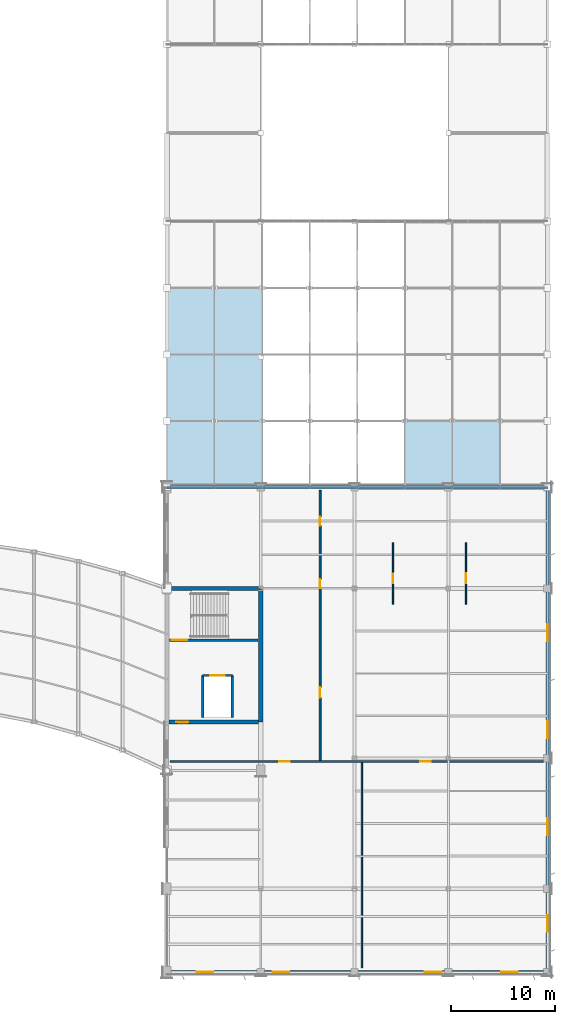
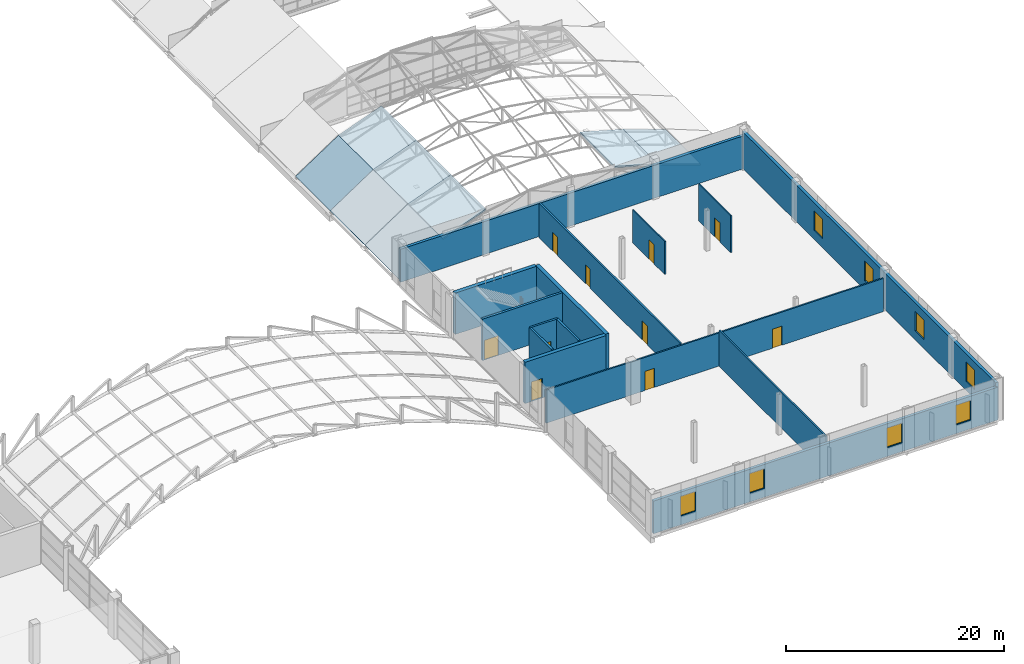
# One storey, part 86 of 101: 15 walls, 10 doors, 8 roofs, 8 windows, 18 openings.
"""IFC4 building model written with IfcOpenShell, lengths in metres."""

import ifcopenshell
import ifcopenshell.guid

model = None  # the IFC model being written
_history = None  # IfcOwnerHistory: only IFC2X3 demands one
_inside = {}  # id of a spatial element -> (the spatial element, [elements in it])
_under = {}  # id of a project, library or spatial element -> (it, [spatial elements below it])
_declared = {}  # id of a project -> (the project, [libraries it declares])
_typed = {}  # id of a type object -> (the type object, [elements of that type])
_made_of = {}  # id of a material, layer set ... -> (it, [elements and type objects made of it])


def new_model(schema):
    """Start an empty IFC model of exactly this schema.

    Asked for "IFC4X3", IfcOpenShell would pick the latest addendum, in which some entities
    have other attributes; the version numbers below select the first issue.
    IFC2X3 requires an IfcOwnerHistory on every rooted entity: one is made here for all.
    """
    global model, _history
    if schema == "IFC4X3":
        model = ifcopenshell.file(schema_version=(4, 3, 0, 0))
    else:
        model = ifcopenshell.file(schema=schema)
    _inside.clear()
    _under.clear()
    _declared.clear()
    _typed.clear()
    _made_of.clear()
    _history = None
    if model.schema == "IFC2X3":
        org = make("IfcOrganization", Name="unknown")
        user = make(
            "IfcPersonAndOrganization",
            ThePerson=make("IfcPerson", FamilyName="unknown"),
            TheOrganization=org,
        )
        app = make(
            "IfcApplication",
            ApplicationDeveloper=org,
            Version="unknown",
            ApplicationFullName="unknown",
            ApplicationIdentifier="unknown",
        )
        _history = make(
            "IfcOwnerHistory",
            OwningUser=user,
            OwningApplication=app,
            ChangeAction="ADDED",
            CreationDate=0,
        )
    return model


def make(cls, **values):
    """One entity of the class cls with the attributes given. An attribute that is None is left unset."""
    return model.create_entity(
        cls, **{name: value for name, value in values.items() if value is not None}
    )


def rooted(cls, **values):
    """An entity with a GlobalId (a new one), such as an element, a storey or a relation."""
    return make(cls, GlobalId=ifcopenshell.guid.new(), OwnerHistory=_history, **values)


def si_unit(unit_type, name, prefix=None):
    """IfcSIUnit, for example si_unit("LENGTHUNIT", "METRE", prefix="MILLI")."""
    return make("IfcSIUnit", UnitType=unit_type, Prefix=prefix, Name=name)


def assignment(units):
    """IfcUnitAssignment: the units of a project."""
    return None if units is None else make("IfcUnitAssignment", Units=units)


def point(xyz):
    """IfcCartesianPoint."""
    return None if xyz is None else make("IfcCartesianPoint", Coordinates=xyz)


def direction(xyz):
    """IfcDirection."""
    return None if xyz is None else make("IfcDirection", DirectionRatios=xyz)


def frame(location, z_axis=None, x_axis=None):
    """IfcAxis2Placement3D, a coordinate frame: its origin and axes. An axis left out is left unset."""
    return make(
        "IfcAxis2Placement3D",
        Location=point(location),
        Axis=direction(z_axis),
        RefDirection=direction(x_axis),
    )


def frame_2d(location, x_axis=None):
    """IfcAxis2Placement2D, a coordinate frame in the plane: its origin and x axis."""
    return make(
        "IfcAxis2Placement2D", Location=point(location), RefDirection=direction(x_axis)
    )


def origin():
    """The frame at (0, 0, 0) with its axes left unset."""
    return frame((0.0, 0.0, 0.0))


def place(relative_to, where):
    """IfcLocalPlacement: puts the frame where relative to a parent placement (None: the world)."""
    return make(
        "IfcLocalPlacement", PlacementRelTo=relative_to, RelativePlacement=where
    )


def context(
    kind, dimensions, precision=None, world=None, true_north=None, identifier=None
):
    """IfcGeometricRepresentationContext, for example the 3D "Model" context."""
    return make(
        "IfcGeometricRepresentationContext",
        ContextIdentifier=identifier,
        ContextType=kind,
        CoordinateSpaceDimension=dimensions,
        Precision=precision,
        WorldCoordinateSystem=world,
        TrueNorth=true_north,
    )


def subcontext(parent, identifier, kind, view, scale=None):
    """IfcGeometricRepresentationSubContext, for example "Body" below "Model"."""
    return make(
        "IfcGeometricRepresentationSubContext",
        ContextIdentifier=identifier,
        ContextType=kind,
        ParentContext=parent,
        TargetScale=scale,
        TargetView=view,
    )


def project(units=None, contexts=None):
    """IfcProject with its units and contexts."""
    return rooted(
        "IfcProject",
        Name="project",
        RepresentationContexts=contexts,
        UnitsInContext=assignment(units),
    )


def spatial(cls, under=None, at=None, **own):
    """A site, building, storey or space (cls), placed at a placement, below another one or the project."""
    s = rooted(cls, ObjectPlacement=at, **own)
    if under is not None:
        _under.setdefault(under.id(), (under, []))[1].append(s)
    return s


def polyline(points):
    """IfcPolyline through the points."""
    return make("IfcPolyline", Points=[point(p) for p in points])


def profile(cls, at=None, kind="AREA", **sizes):
    """A parametric profile (cls). Its sizes go by their IFC names, for example OverallWidth=200.0."""
    return make(cls, ProfileType=kind, Position=at, **sizes)


def rectangle(**sizes):
    """IfcRectangleProfileDef."""
    return profile("IfcRectangleProfileDef", **sizes)


def outline(outer, holes=None, kind="AREA"):
    """IfcArbitraryClosedProfileDef: a profile drawn as a closed curve; with holes, ...WithVoids."""
    if holes is None:
        return make("IfcArbitraryClosedProfileDef", ProfileType=kind, OuterCurve=outer)
    return make(
        "IfcArbitraryProfileDefWithVoids",
        ProfileType=kind,
        OuterCurve=outer,
        InnerCurves=holes,
    )


def extrude(swept, where, along, depth):
    """IfcExtrudedAreaSolid: the profile swept, set in the frame where, extruded along a direction by depth."""
    return make(
        "IfcExtrudedAreaSolid",
        SweptArea=swept,
        Position=where,
        ExtrudedDirection=direction(along),
        Depth=depth,
    )


def shape(context_of_items, identifier, shape_type, items):
    """IfcShapeRepresentation: the items that make up one representation, for example the "Body"."""
    return make(
        "IfcShapeRepresentation",
        ContextOfItems=context_of_items,
        RepresentationIdentifier=identifier,
        RepresentationType=shape_type,
        Items=items,
    )


def material(Name=None, Category=None):
    """IfcMaterial."""
    return make("IfcMaterial", Name=Name, Category=Category)


def layer(
    of_material, thickness, ventilated=None, Name=None, Category=None, Priority=None
):
    """IfcMaterialLayer: one layer of a wall or slab, of a material (None: an air gap)."""
    return make(
        "IfcMaterialLayer",
        Material=of_material,
        LayerThickness=thickness,
        IsVentilated=ventilated,
        Name=Name,
        Category=Category,
        Priority=Priority,
    )


def layer_set(layers, Name=None):
    """IfcMaterialLayerSet."""
    return make("IfcMaterialLayerSet", MaterialLayers=layers, LayerSetName=Name)


def made_of(thing, what):
    """Note that an element or type object is made of a material, layer set ...; save() writes the relation."""
    if what is not None:
        _made_of.setdefault(what.id(), (what, []))[1].append(thing)
    return thing


def type_object(cls, material=None, **own):
    """A type object (cls), such as IfcWallType, which elements share."""
    return made_of(rooted(cls, **own), material)


def element(
    cls,
    number,
    at=None,
    inside=None,
    cuts=None,
    type_object=None,
    material=None,
    context=None,
    identifier="Body",
    shape_type=None,
    held_by="IfcProductDefinitionShape",
    body=None,
    shapes=None,
    **own,
):
    """One element of the class cls, such as IfcWall. Its Tag is "e" and its number.

    at: its placement. inside: the storey or other place that contains it. cuts: it is an
    opening in that element (IfcRelVoidsElement). A single representation is given by context,
    identifier, shape_type and body (its items); several are given by shapes. held_by: the class
    of the entity that holds the representations. save() writes the other relations.
    """
    e = rooted(cls, Tag="e%d" % number, ObjectPlacement=at, **own)
    if body is not None:
        shapes = [shape(context, identifier, shape_type, body)]
    if shapes is not None:
        e.Representation = make(held_by, Representations=shapes)
    if inside is not None:
        _inside.setdefault(inside.id(), (inside, []))[1].append(e)
    if cuts is not None:
        rooted(
            "IfcRelVoidsElement", RelatingBuildingElement=cuts, RelatedOpeningElement=e
        )
    if type_object is not None:
        _typed.setdefault(type_object.id(), (type_object, []))[1].append(e)
    return made_of(e, material)


def fill(opening, filler):
    """IfcRelFillsElement: the door or window that sits in an opening."""
    return rooted(
        "IfcRelFillsElement",
        RelatingOpeningElement=opening,
        RelatedBuildingElement=filler,
    )


def aggregate(whole, parts):
    """IfcRelAggregates: a whole, such as a stair, and the parts it consists of."""
    return rooted("IfcRelAggregates", RelatingObject=whole, RelatedObjects=parts)


def save(model, path):
    """Write the relations noted so far, then the file.

    IfcRelAggregates (storeys below a building ...), IfcRelContainedInSpatialStructure (elements
    in a storey), IfcRelDefinesByType, IfcRelAssociatesMaterial and IfcRelDeclares: one each for
    every whole, place, type object, material and project.
    """
    for whole, parts in _under.values():
        aggregate(whole, parts)
    for where, things in _inside.values():
        rooted(
            "IfcRelContainedInSpatialStructure",
            RelatedElements=things,
            RelatingStructure=where,
        )
    for kind, things in _typed.values():
        rooted("IfcRelDefinesByType", RelatedObjects=things, RelatingType=kind)
    for what, things in _made_of.values():
        rooted("IfcRelAssociatesMaterial", RelatedObjects=things, RelatingMaterial=what)
    for by, libraries in _declared.values():
        rooted("IfcRelDeclares", RelatingContext=by, RelatedDefinitions=libraries)
    model.write(path)


model = new_model("IFC4")

# Units and contexts
model_context = context("Model", 3, precision=1e-05, world=origin(), true_north=direction((0.0, 1.0)))
body_context = subcontext(model_context, "Body", "Model", "MODEL_VIEW")
ifc_project = project(units=[si_unit("LENGTHUNIT", "METRE"), si_unit("AREAUNIT", "SQUARE_METRE"), si_unit("VOLUMEUNIT", "CUBIC_METRE"), si_unit("PLANEANGLEUNIT", "RADIAN"), si_unit("MASSUNIT", "GRAM", prefix="KILO")], contexts=[model_context])

# Site, building, storey
site_placement = place(None, origin())
site = spatial("IfcSite", under=ifc_project, at=site_placement, CompositionType="ELEMENT")
building_placement = place(site_placement, origin())
building = spatial("IfcBuilding", under=site, at=building_placement, Name="Solvikara Media Centre", CompositionType="ELEMENT")
storey_placement = place(building_placement, frame((0.0, 0.0, 10.199951171875)))
storey = spatial("IfcBuildingStorey", under=building, at=storey_placement, Name="L02", CompositionType="ELEMENT", Elevation=10.199951171875)

# Walls
ifc_material_1 = material(Name="Concrete fc' 45 MPa (C45/55)", Category="concrete")
ifc_layer_1 = layer(ifc_material_1, 0.39990234375)
ifc_layer_set_1 = layer_set([ifc_layer_1], Name="Concrete fc' 45 MPa (C45/55)")
wall_type_1 = type_object("IfcWallType", Name="WT-02", PredefinedType="SHEAR", material=ifc_layer_set_1)
wall_1_placement = place(storey_placement, frame((136.5, 24.0, 0.0), z_axis=(0.0, 0.0, 1.0), x_axis=(0.0, 1.0, 0.0)))
element("IfcWall", 1, at=wall_1_placement, inside=storey, type_object=wall_type_1, Name="CW-C4-L02-E", PredefinedType="SHEAR", context=body_context, shape_type="SweptSolid", body=[
    extrude(rectangle(XDim=12.800048828125, YDim=0.39990234375, at=frame_2d((6.39990234375, 0.0))), origin(), (0.0, 0.0, 1.0), 4.64013671875),
])
wall_2_placement = place(storey_placement, frame((127.699951171875, 36.800048828125, 0.0), z_axis=(0.0, 0.0, 1.0), x_axis=(1.0, 0.0, 0.0)))
element("IfcWall", 2, at=wall_2_placement, inside=storey, type_object=wall_type_1, Name="CW-C4-L02-N", PredefinedType="SHEAR", context=body_context, shape_type="SweptSolid", body=[
    extrude(rectangle(XDim=8.60009765625, YDim=0.39990234375, at=frame_2d((4.300048828125, 0.0))), origin(), (0.0, 0.0, 1.0), 4.64013671875),
])

# Wall, opening, door
wall_3_placement = place(storey_placement, frame((127.699951171875, 24.0, 0.0), z_axis=(0.0, 0.0, 1.0), x_axis=(1.0, 0.0, 0.0)))
wall_3 = element("IfcWall", 3, at=wall_3_placement, inside=storey, type_object=wall_type_1, Name="CW-C4-L02-S", PredefinedType="SHEAR", context=body_context, shape_type="SweptSolid", body=[
    extrude(rectangle(XDim=8.60009765625, YDim=0.39990234375, at=frame_2d((4.300048828125, 0.0))), origin(), (0.0, 0.0, 1.0), 4.64013671875),
])
opening_1_placement = place(wall_3_placement, frame((0.699951171875, 0.0, 0.0)))
opening_1 = element("IfcOpeningElement", 4, at=opening_1_placement, cuts=wall_3, Name="Opening D-C4-L02-LOB", PredefinedType="OPENING", context=body_context, shape_type="SweptSolid", body=[
    extrude(rectangle(XDim=1.14990234375, YDim=2.199951171875, at=frame_2d((0.574951171875, 1.10009765625))), frame((0.0, 0.2119140625, 0.0), z_axis=(0.0, -1.0, 0.0), x_axis=(1.0, 0.0, 0.0)), (0.0, 0.0, 1.0), 0.423828125),
])
ifc_material_2 = material(Name="Insulated fire-rated steel door leaf", Category="steel")
door_type_1 = type_object("IfcDoorType", Name="DT-09", OperationType="NOTDEFINED", PredefinedType="DOOR", material=ifc_material_2)
door_1_placement = place(opening_1_placement, frame((1.14990234375, 0.0, 0.0), z_axis=(0.0, 0.0, 1.0), x_axis=(-1.0, 0.0, 0.0)))
door_1 = element("IfcDoor", 5, at=door_1_placement, inside=storey, type_object=door_type_1, Name="D-C4-L02-LOB", OperationType="SINGLE_SWING_RIGHT", OverallHeight=2.199951171875, OverallWidth=1.14990234375, PredefinedType="DOOR", context=body_context, shape_type="SweptSolid", body=[
    extrude(rectangle(XDim=1.14990234375, YDim=2.199951171875, at=frame_2d((0.574951171875, 1.10009765625))), frame((0.0, 0.02490234375, 0.0), z_axis=(0.0, -1.0, 0.0), x_axis=(1.0, 0.0, 0.0)), (0.0, 0.0, 1.0), 0.050048828125),
])
fill(opening_1, door_1)

ifc_layer_2 = layer(ifc_material_1, 0.25)
ifc_layer_set_2 = layer_set([ifc_layer_2], Name="Concrete fc' 45 MPa (C45/55)")
wall_type_2 = type_object("IfcWallType", Name="WT-07", PredefinedType="STANDARD", material=ifc_layer_set_2)
wall_4_placement = place(storey_placement, frame((127.75, 31.85009765625, 0.0), z_axis=(0.0, 0.0, 1.0), x_axis=(1.0, 0.0, 0.0)))
wall_4 = element("IfcWall", 6, at=wall_4_placement, inside=storey, type_object=wall_type_2, Name="CW-C4-L02-SD", PredefinedType="STANDARD", context=body_context, shape_type="SweptSolid", body=[
    extrude(rectangle(XDim=8.5, YDim=0.25, at=frame_2d((4.25, 0.0))), origin(), (0.0, 0.0, 1.0), 4.64013671875),
])
opening_2_placement = place(wall_4_placement, frame((0.199951171875, 0.0, 0.0)))
opening_2 = element("IfcOpeningElement", 7, at=opening_2_placement, cuts=wall_4, Name="Opening D-C4-L02-ST", PredefinedType="OPENING", context=body_context, shape_type="SweptSolid", body=[
    extrude(rectangle(XDim=1.5, YDim=2.199951171875, at=frame_2d((0.75, 1.10009765625))), frame((0.0, 0.136962890625, 0.0), z_axis=(0.0, -1.0, 0.0), x_axis=(1.0, 0.0, 0.0)), (0.0, 0.0, 1.0), 0.27392578125),
])
door_type_2 = type_object("IfcDoorType", Name="DT-08", OperationType="DOUBLE_DOOR_SINGLE_SWING", PredefinedType="DOOR", material=ifc_material_2)
door_2_placement = place(opening_2_placement, frame((1.5, 0.0, 0.0), z_axis=(0.0, 0.0, 1.0), x_axis=(-1.0, 0.0, 0.0)))
door_2 = element("IfcDoor", 8, at=door_2_placement, inside=storey, type_object=door_type_2, Name="D-C4-L02-ST", OperationType="DOUBLE_DOOR_SINGLE_SWING", OverallHeight=2.199951171875, OverallWidth=1.5, PredefinedType="DOOR", context=body_context, shape_type="SweptSolid", body=[
    extrude(rectangle(XDim=1.5, YDim=2.199951171875, at=frame_2d((0.75, 1.10009765625))), frame((0.0, 0.02490234375, 0.0), z_axis=(0.0, -1.0, 0.0), x_axis=(1.0, 0.0, 0.0)), (0.0, 0.0, 1.0), 0.050048828125),
])
fill(opening_2, door_2)

# Wall, openings, windows
ifc_material_3 = material(Name="Precast concrete fc' 40 MPa (C40/50)", Category="concrete")
ifc_layer_3 = layer(ifc_material_3, 0.31005859375)
ifc_layer_set_3 = layer_set([ifc_layer_3], Name="Precast concrete fc' 40 MPa (C40/50)")
wall_type_3 = type_object("IfcWallType", Name="WT-10", PredefinedType="STANDARD", material=ifc_layer_set_3)
wall_5_placement = place(storey_placement, frame((127.5, 0.0, 0.0), z_axis=(0.0, 0.0, 1.0), x_axis=(1.0, 0.0, 0.0)))
wall_5 = element("IfcWall", 9, at=wall_5_placement, inside=storey, type_object=wall_type_3, Name="EW-L02-V5-S", PredefinedType="STANDARD", context=body_context, shape_type="SweptSolid", body=[
    extrude(rectangle(XDim=36.5, YDim=0.31005859375, at=frame_2d((18.25, 0.0))), origin(), (0.0, 0.0, 1.0), 3.670166015625),
])
opening_3_placement = place(wall_5_placement, frame((2.85009765625, 0.0, 1.0)))
opening_3 = element("IfcOpeningElement", 10, at=opening_3_placement, cuts=wall_5, Name="Opening W-L02-V5S-W01", PredefinedType="OPENING", context=body_context, shape_type="SweptSolid", body=[
    extrude(rectangle(XDim=1.60009765625, YDim=2.199951171875, at=frame_2d((0.800048828125, 1.10009765625))), frame((0.0, 0.1669921875, 0.0), z_axis=(0.0, -1.0, 0.0), x_axis=(1.0, 0.0, 0.0)), (0.0, 0.0, 1.0), 0.333984375),
])
opening_4_placement = place(wall_5_placement, frame((10.14990234375, 0.0, 1.0)))
opening_4 = element("IfcOpeningElement", 11, at=opening_4_placement, cuts=wall_5, Name="Opening W-L02-V5S-W02", PredefinedType="OPENING", context=body_context, shape_type="SweptSolid", body=[
    extrude(rectangle(XDim=1.60009765625, YDim=2.199951171875, at=frame_2d((0.800048828125, 1.10009765625))), frame((0.0, 0.1669921875, 0.0), z_axis=(0.0, -1.0, 0.0), x_axis=(1.0, 0.0, 0.0)), (0.0, 0.0, 1.0), 0.333984375),
])
opening_5_placement = place(wall_5_placement, frame((24.75, 0.0, 1.0)))
opening_5 = element("IfcOpeningElement", 12, at=opening_5_placement, cuts=wall_5, Name="Opening W-L02-V5S-W04", PredefinedType="OPENING", context=body_context, shape_type="SweptSolid", body=[
    extrude(rectangle(XDim=1.60009765625, YDim=2.199951171875, at=frame_2d((0.800048828125, 1.10009765625))), frame((0.0, 0.1669921875, 0.0), z_axis=(0.0, -1.0, 0.0), x_axis=(1.0, 0.0, 0.0)), (0.0, 0.0, 1.0), 0.333984375),
])
opening_6_placement = place(wall_5_placement, frame((32.050048828125, 0.0, 1.0)))
opening_6 = element("IfcOpeningElement", 13, at=opening_6_placement, cuts=wall_5, Name="Opening W-L02-V5S-W05", PredefinedType="OPENING", context=body_context, shape_type="SweptSolid", body=[
    extrude(rectangle(XDim=1.60009765625, YDim=2.199951171875, at=frame_2d((0.800048828125, 1.10009765625))), frame((0.0, 0.1669921875, 0.0), z_axis=(0.0, -1.0, 0.0), x_axis=(1.0, 0.0, 0.0)), (0.0, 0.0, 1.0), 0.333984375),
])
ifc_material_4 = material(Name="Double-glazed low-E architectural glass", Category="glass")
window_type = type_object("IfcWindowType", Name="WN-07", PartitioningType="SINGLE_PANEL", PredefinedType="WINDOW", material=ifc_material_4)
window_1_placement = place(opening_3_placement, origin())
window_1 = element("IfcWindow", 14, at=window_1_placement, inside=storey, type_object=window_type, Name="W-L02-V5S-W01", OverallHeight=2.199951171875, OverallWidth=1.60009765625, PartitioningType="SINGLE_PANEL", PredefinedType="WINDOW", context=body_context, shape_type="SweptSolid", body=[
    extrude(rectangle(XDim=1.60009765625, YDim=2.199951171875, at=frame_2d((0.800048828125, 1.10009765625))), frame((0.0, 0.030029296875, 0.0), z_axis=(0.0, -1.0, 0.0), x_axis=(1.0, 0.0, 0.0)), (0.0, 0.0, 1.0), 0.06005859375),
])
fill(opening_3, window_1)
window_2_placement = place(opening_4_placement, origin())
window_2 = element("IfcWindow", 15, at=window_2_placement, inside=storey, type_object=window_type, Name="W-L02-V5S-W02", OverallHeight=2.199951171875, OverallWidth=1.60009765625, PartitioningType="SINGLE_PANEL", PredefinedType="WINDOW", context=body_context, shape_type="SweptSolid", body=[
    extrude(rectangle(XDim=1.60009765625, YDim=2.199951171875, at=frame_2d((0.800048828125, 1.10009765625))), frame((0.0, 0.030029296875, 0.0), z_axis=(0.0, -1.0, 0.0), x_axis=(1.0, 0.0, 0.0)), (0.0, 0.0, 1.0), 0.06005859375),
])
fill(opening_4, window_2)
window_3_placement = place(opening_5_placement, origin())
window_3 = element("IfcWindow", 16, at=window_3_placement, inside=storey, type_object=window_type, Name="W-L02-V5S-W04", OverallHeight=2.199951171875, OverallWidth=1.60009765625, PartitioningType="SINGLE_PANEL", PredefinedType="WINDOW", context=body_context, shape_type="SweptSolid", body=[
    extrude(rectangle(XDim=1.60009765625, YDim=2.199951171875, at=frame_2d((0.800048828125, 1.10009765625))), frame((0.0, 0.030029296875, 0.0), z_axis=(0.0, -1.0, 0.0), x_axis=(1.0, 0.0, 0.0)), (0.0, 0.0, 1.0), 0.06005859375),
])
fill(opening_5, window_3)
window_4_placement = place(opening_6_placement, origin())
window_4 = element("IfcWindow", 17, at=window_4_placement, inside=storey, type_object=window_type, Name="W-L02-V5S-W05", OverallHeight=2.199951171875, OverallWidth=1.60009765625, PartitioningType="SINGLE_PANEL", PredefinedType="WINDOW", context=body_context, shape_type="SweptSolid", body=[
    extrude(rectangle(XDim=1.60009765625, YDim=2.199951171875, at=frame_2d((0.800048828125, 1.10009765625))), frame((0.0, 0.030029296875, 0.0), z_axis=(0.0, -1.0, 0.0), x_axis=(1.0, 0.0, 0.0)), (0.0, 0.0, 1.0), 0.06005859375),
])
fill(opening_6, window_4)

wall_6_placement = place(storey_placement, frame((164.0, 0.0, 0.0), z_axis=(0.0, 0.0, 1.0), x_axis=(0.0, 1.0, 0.0)))
wall_6 = element("IfcWall", 18, at=wall_6_placement, inside=storey, type_object=wall_type_3, Name="EW-L02-V5-E", PredefinedType="STANDARD", context=body_context, shape_type="SweptSolid", body=[
    extrude(rectangle(XDim=46.5, YDim=0.31005859375, at=frame_2d((23.25, 0.0))), origin(), (0.0, 0.0, 1.0), 4.1181640625),
])
opening_7_placement = place(wall_6_placement, frame((3.85009765625, 0.0, 1.0)))
opening_7 = element("IfcOpeningElement", 19, at=opening_7_placement, cuts=wall_6, Name="Opening W-L02-V5E-W01", PredefinedType="OPENING", context=body_context, shape_type="SweptSolid", body=[
    extrude(rectangle(XDim=1.60009765625, YDim=2.199951171875, at=frame_2d((0.800048828125, 1.10009765625))), frame((0.0, 0.1669921875, 0.0), z_axis=(0.0, -1.0, 0.0), x_axis=(1.0, 0.0, 0.0)), (0.0, 0.0, 1.0), 0.333984375),
])
opening_8_placement = place(wall_6_placement, frame((13.14990234375, 0.0, 1.0)))
opening_8 = element("IfcOpeningElement", 20, at=opening_8_placement, cuts=wall_6, Name="Opening W-L02-V5E-W02", PredefinedType="OPENING", context=body_context, shape_type="SweptSolid", body=[
    extrude(rectangle(XDim=1.60009765625, YDim=2.199951171875, at=frame_2d((0.800048828125, 1.10009765625))), frame((0.0, 0.1669921875, 0.0), z_axis=(0.0, -1.0, 0.0), x_axis=(1.0, 0.0, 0.0)), (0.0, 0.0, 1.0), 0.333984375),
])
opening_9_placement = place(wall_6_placement, frame((22.449951171875, 0.0, 1.0)))
opening_9 = element("IfcOpeningElement", 21, at=opening_9_placement, cuts=wall_6, Name="Opening W-L02-V5E-W03", PredefinedType="OPENING", context=body_context, shape_type="SweptSolid", body=[
    extrude(rectangle(XDim=1.60009765625, YDim=2.199951171875, at=frame_2d((0.800048828125, 1.10009765625))), frame((0.0, 0.1669921875, 0.0), z_axis=(0.0, -1.0, 0.0), x_axis=(1.0, 0.0, 0.0)), (0.0, 0.0, 1.0), 0.333984375),
])
opening_10_placement = place(wall_6_placement, frame((31.75, 0.0, 1.0)))
opening_10 = element("IfcOpeningElement", 22, at=opening_10_placement, cuts=wall_6, Name="Opening W-L02-V5E-W04", PredefinedType="OPENING", context=body_context, shape_type="SweptSolid", body=[
    extrude(rectangle(XDim=1.60009765625, YDim=2.199951171875, at=frame_2d((0.800048828125, 1.10009765625))), frame((0.0, 0.1669921875, 0.0), z_axis=(0.0, -1.0, 0.0), x_axis=(1.0, 0.0, 0.0)), (0.0, 0.0, 1.0), 0.333984375),
])
window_5_placement = place(opening_7_placement, origin())
window_5 = element("IfcWindow", 23, at=window_5_placement, inside=storey, type_object=window_type, Name="W-L02-V5E-W01", OverallHeight=2.199951171875, OverallWidth=1.60009765625, PartitioningType="SINGLE_PANEL", PredefinedType="WINDOW", context=body_context, shape_type="SweptSolid", body=[
    extrude(rectangle(XDim=1.60009765625, YDim=2.199951171875, at=frame_2d((0.800048828125, 1.10009765625))), frame((0.0, 0.030029296875, 0.0), z_axis=(0.0, -1.0, 0.0), x_axis=(1.0, 0.0, 0.0)), (0.0, 0.0, 1.0), 0.06005859375),
])
fill(opening_7, window_5)
window_6_placement = place(opening_8_placement, origin())
window_6 = element("IfcWindow", 24, at=window_6_placement, inside=storey, type_object=window_type, Name="W-L02-V5E-W02", OverallHeight=2.199951171875, OverallWidth=1.60009765625, PartitioningType="SINGLE_PANEL", PredefinedType="WINDOW", context=body_context, shape_type="SweptSolid", body=[
    extrude(rectangle(XDim=1.60009765625, YDim=2.199951171875, at=frame_2d((0.800048828125, 1.10009765625))), frame((0.0, 0.030029296875, 0.0), z_axis=(0.0, -1.0, 0.0), x_axis=(1.0, 0.0, 0.0)), (0.0, 0.0, 1.0), 0.06005859375),
])
fill(opening_8, window_6)
window_7_placement = place(opening_9_placement, origin())
window_7 = element("IfcWindow", 25, at=window_7_placement, inside=storey, type_object=window_type, Name="W-L02-V5E-W03", OverallHeight=2.199951171875, OverallWidth=1.60009765625, PartitioningType="SINGLE_PANEL", PredefinedType="WINDOW", context=body_context, shape_type="SweptSolid", body=[
    extrude(rectangle(XDim=1.60009765625, YDim=2.199951171875, at=frame_2d((0.800048828125, 1.10009765625))), frame((0.0, 0.030029296875, 0.0), z_axis=(0.0, -1.0, 0.0), x_axis=(1.0, 0.0, 0.0)), (0.0, 0.0, 1.0), 0.06005859375),
])
fill(opening_9, window_7)
window_8_placement = place(opening_10_placement, origin())
window_8 = element("IfcWindow", 26, at=window_8_placement, inside=storey, type_object=window_type, Name="W-L02-V5E-W04", OverallHeight=2.199951171875, OverallWidth=1.60009765625, PartitioningType="SINGLE_PANEL", PredefinedType="WINDOW", context=body_context, shape_type="SweptSolid", body=[
    extrude(rectangle(XDim=1.60009765625, YDim=2.199951171875, at=frame_2d((0.800048828125, 1.10009765625))), frame((0.0, 0.030029296875, 0.0), z_axis=(0.0, -1.0, 0.0), x_axis=(1.0, 0.0, 0.0)), (0.0, 0.0, 1.0), 0.06005859375),
])
fill(opening_10, window_8)

# Walls
wall_7_placement = place(storey_placement, frame((127.5, 46.5, 0.0), z_axis=(0.0, 0.0, 1.0), x_axis=(1.0, 0.0, 0.0)))
element("IfcWall", 27, at=wall_7_placement, inside=storey, type_object=wall_type_3, Name="EW-L02-V5-N", PredefinedType="STANDARD", context=body_context, shape_type="SweptSolid", body=[
    extrude(rectangle(XDim=36.5, YDim=0.31005859375, at=frame_2d((18.25, 0.0))), origin(), (0.0, 0.0, 1.0), 3.699951171875),
])
ifc_material_5 = material(Name="Fire-rated gypsum and mineral-wool shaft wall assembly")
ifc_layer_4 = layer(ifc_material_5, 0.2099609375)
ifc_layer_set_4 = layer_set([ifc_layer_4], Name="Fire-rated gypsum and mineral-wool shaft wall assembly")
wall_type_4 = type_object("IfcWallType", Name="WT-17", PredefinedType="PARTITIONING", material=ifc_layer_set_4)
for number, where, z_axis, x_axis, name in (
    (28, (130.929931640625, 24.39990234375, 0.0), (0.0, 0.0, 1.0), (0.0, 1.0, 0.0), "LW-LF-G1-L02-W"),
    (29, (133.77001953125, 24.39990234375, 0.0), (0.0, 0.0, 1.0), (0.0, 1.0, 0.0), "LW-LF-G1-L02-E"),
):
    element("IfcWall", number, at=place(storey_placement, frame(where, z_axis=z_axis, x_axis=x_axis)), inside=storey, type_object=wall_type_4, Name=name, PredefinedType="PARTITIONING", context=body_context, shape_type="SweptSolid", body=[
        extrude(rectangle(XDim=4.050048828125, YDim=0.2099609375, at=frame_2d((2.02490234375, 0.0))), origin(), (0.0, 0.0, 1.0), 4.64013671875),
    ])

# Wall, opening, door
wall_8_placement = place(storey_placement, frame((130.929931640625, 28.449951171875, 0.0), z_axis=(0.0, 0.0, 1.0), x_axis=(1.0, 0.0, 0.0)))
wall_8 = element("IfcWall", 30, at=wall_8_placement, inside=storey, type_object=wall_type_4, Name="LW-LF-G1-L02-N", PredefinedType="PARTITIONING", context=body_context, shape_type="SweptSolid", body=[
    extrude(rectangle(XDim=2.840087890625, YDim=0.2099609375, at=frame_2d((1.419921875, 0.0))), origin(), (0.0, 0.0, 1.0), 4.64013671875),
])
opening_11_placement = place(wall_8_placement, frame((0.719970703125, 0.0, 0.0)))
opening_11 = element("IfcOpeningElement", 31, at=opening_11_placement, cuts=wall_8, Name="Opening LD-LF-G1-L02", PredefinedType="OPENING", context=body_context, shape_type="SweptSolid", body=[
    extrude(rectangle(XDim=1.39990234375, YDim=2.35009765625, at=frame_2d((0.699951171875, 1.175048828125))), frame((0.0, 0.116943359375, 0.0), z_axis=(0.0, -1.0, 0.0), x_axis=(1.0, 0.0, 0.0)), (0.0, 0.0, 1.0), 0.23388671875),
])
door_type_3 = type_object("IfcDoorType", Name="LD-03", OperationType="DOUBLE_DOOR_SLIDING", PredefinedType="DOOR", material=ifc_material_2)
door_3_placement = place(opening_11_placement, origin())
door_3 = element("IfcDoor", 32, at=door_3_placement, inside=storey, type_object=door_type_3, Name="LD-LF-G1-L02", OperationType="DOUBLE_DOOR_SLIDING", OverallHeight=2.35009765625, OverallWidth=1.39990234375, PredefinedType="DOOR", context=body_context, shape_type="SweptSolid", body=[
    extrude(rectangle(XDim=1.39990234375, YDim=2.35009765625, at=frame_2d((0.699951171875, 1.175048828125))), frame((0.0, 0.02490234375, 0.0), z_axis=(0.0, -1.0, 0.0), x_axis=(1.0, 0.0, 0.0)), (0.0, 0.0, 1.0), 0.050048828125),
])
fill(opening_11, door_3)

# Wall, openings, doors
ifc_layer_5 = layer(ifc_material_5, 0.179931640625)
ifc_layer_set_5 = layer_set([ifc_layer_5], Name="Fire-rated gypsum and mineral-wool shaft wall assembly")
wall_type_5 = type_object("IfcWallType", Name="WT-18", PredefinedType="PARTITIONING", material=ifc_layer_set_5)
wall_9_placement = place(storey_placement, frame((142.199951171875, 20.300048828125, 0.0), z_axis=(0.0, 0.0, 1.0), x_axis=(0.0, 1.0, 0.0)))
wall_9 = element("IfcWall", 33, at=wall_9_placement, inside=storey, type_object=wall_type_5, Name="PW-L02-068", PredefinedType="PARTITIONING", context=body_context, shape_type="SweptSolid", body=[
    extrude(rectangle(XDim=25.89990234375, YDim=0.179931640625, at=frame_2d((12.949951171875, 0.0))), origin(), (0.0, 0.0, 1.0), 3.85009765625),
])
opening_12_placement = place(wall_9_placement, frame((6.0, 0.0, 0.0)))
opening_12 = element("IfcOpeningElement", 34, at=opening_12_placement, cuts=wall_9, Name="Opening D-L02-068-1", PredefinedType="OPENING", context=body_context, shape_type="SweptSolid", body=[
    extrude(rectangle(XDim=1.0, YDim=2.14990234375, at=frame_2d((0.5, 1.074951171875))), frame((0.0, 0.10205078125, 0.0), z_axis=(0.0, -1.0, 0.0), x_axis=(1.0, 0.0, 0.0)), (0.0, 0.0, 1.0), 0.203857421875),
])
opening_13_placement = place(wall_9_placement, frame((16.5, 0.0, 0.0)))
opening_13 = element("IfcOpeningElement", 35, at=opening_13_placement, cuts=wall_9, Name="Opening D-L02-068-2", PredefinedType="OPENING", context=body_context, shape_type="SweptSolid", body=[
    extrude(rectangle(XDim=0.89990234375, YDim=2.14990234375, at=frame_2d((0.449951171875, 1.074951171875))), frame((0.0, 0.10205078125, 0.0), z_axis=(0.0, -1.0, 0.0), x_axis=(1.0, 0.0, 0.0)), (0.0, 0.0, 1.0), 0.203857421875),
])
opening_14_placement = place(wall_9_placement, frame((22.5, 0.0, 0.0)))
opening_14 = element("IfcOpeningElement", 36, at=opening_14_placement, cuts=wall_9, Name="Opening D-L02-068-3", PredefinedType="OPENING", context=body_context, shape_type="SweptSolid", body=[
    extrude(rectangle(XDim=0.89990234375, YDim=2.10009765625, at=frame_2d((0.449951171875, 1.050048828125))), frame((0.0, 0.10205078125, 0.0), z_axis=(0.0, -1.0, 0.0), x_axis=(1.0, 0.0, 0.0)), (0.0, 0.0, 1.0), 0.203857421875),
])
door_type_4 = type_object("IfcDoorType", Name="DT-11", OperationType="NOTDEFINED", PredefinedType="DOOR", material=ifc_material_2)
door_4_placement = place(opening_14_placement, frame((0.89990234375, 0.0, 0.0), z_axis=(0.0, 0.0, 1.0), x_axis=(-1.0, 0.0, 0.0)))
door_4 = element("IfcDoor", 37, at=door_4_placement, inside=storey, type_object=door_type_4, Name="D-L02-068-3", OperationType="SINGLE_SWING_LEFT", OverallHeight=2.10009765625, OverallWidth=0.89990234375, PredefinedType="DOOR", context=body_context, shape_type="SweptSolid", body=[
    extrude(rectangle(XDim=0.89990234375, YDim=2.10009765625, at=frame_2d((0.449951171875, 1.050048828125))), frame((0.0, 0.02490234375, 0.0), z_axis=(0.0, -1.0, 0.0), x_axis=(1.0, 0.0, 0.0)), (0.0, 0.0, 1.0), 0.050048828125),
])
fill(opening_14, door_4)
ifc_material_6 = material(Name="Solid core acoustic hardwood timber", Category="wood")
door_type_5 = type_object("IfcDoorType", Name="DT-16", OperationType="NOTDEFINED", PredefinedType="DOOR", material=ifc_material_6)
door_5_placement = place(opening_12_placement, origin())
door_5 = element("IfcDoor", 38, at=door_5_placement, inside=storey, type_object=door_type_5, Name="D-L02-068-1", OperationType="SINGLE_SWING_LEFT", OverallHeight=2.14990234375, OverallWidth=1.0, PredefinedType="DOOR", context=body_context, shape_type="SweptSolid", body=[
    extrude(rectangle(XDim=1.0, YDim=2.14990234375, at=frame_2d((0.5, 1.074951171875))), frame((0.0, 0.02490234375, 0.0), z_axis=(0.0, -1.0, 0.0), x_axis=(1.0, 0.0, 0.0)), (0.0, 0.0, 1.0), 0.050048828125),
])
fill(opening_12, door_5)
door_type_6 = type_object("IfcDoorType", Name="DT-18", OperationType="NOTDEFINED", PredefinedType="DOOR", material=ifc_material_6)
door_6_placement = place(opening_13_placement, origin())
door_6 = element("IfcDoor", 39, at=door_6_placement, inside=storey, type_object=door_type_6, Name="D-L02-068-2", OperationType="SINGLE_SWING_RIGHT", OverallHeight=2.14990234375, OverallWidth=0.89990234375, PredefinedType="DOOR", context=body_context, shape_type="SweptSolid", body=[
    extrude(rectangle(XDim=0.89990234375, YDim=2.14990234375, at=frame_2d((0.449951171875, 1.074951171875))), frame((0.0, 0.02490234375, 0.0), z_axis=(0.0, -1.0, 0.0), x_axis=(1.0, 0.0, 0.0)), (0.0, 0.0, 1.0), 0.050048828125),
])
fill(opening_13, door_6)

ifc_material_7 = material(Name="Double-stud acoustic gypsum partition assembly")
ifc_layer_6 = layer(ifc_material_7, 0.159912109375)
ifc_layer_set_6 = layer_set([ifc_layer_6], Name="Double-stud acoustic gypsum partition assembly")
wall_type_6 = type_object("IfcWallType", Name="WT-19", PredefinedType="PARTITIONING", material=ifc_layer_set_6)
wall_10_placement = place(storey_placement, frame((127.800048828125, 20.199951171875, 0.0), z_axis=(0.0, 0.0, 1.0), x_axis=(1.0, 0.0, 0.0)))
wall_10 = element("IfcWall", 40, at=wall_10_placement, inside=storey, type_object=wall_type_6, Name="PW-L02-066", PredefinedType="PARTITIONING", context=body_context, shape_type="SweptSolid", body=[
    extrude(rectangle(XDim=35.800048828125, YDim=0.159912109375, at=frame_2d((17.89990234375, 0.0))), origin(), (0.0, 0.0, 1.0), 3.719970703125),
])
opening_15_placement = place(wall_10_placement, frame((10.5, 0.0, 0.0)))
opening_15 = element("IfcOpeningElement", 41, at=opening_15_placement, cuts=wall_10, Name="Opening D-L02-066-1", PredefinedType="OPENING", context=body_context, shape_type="SweptSolid", body=[
    extrude(rectangle(XDim=1.0, YDim=2.14990234375, at=frame_2d((0.5, 1.074951171875))), frame((0.0, 0.091796875, 0.0), z_axis=(0.0, -1.0, 0.0), x_axis=(1.0, 0.0, 0.0)), (0.0, 0.0, 1.0), 0.183837890625),
])
opening_16_placement = place(wall_10_placement, frame((24.0, 0.0, 0.0)))
opening_16 = element("IfcOpeningElement", 42, at=opening_16_placement, cuts=wall_10, Name="Opening D-L02-066-2", PredefinedType="OPENING", context=body_context, shape_type="SweptSolid", body=[
    extrude(rectangle(XDim=1.0, YDim=2.14990234375, at=frame_2d((0.5, 1.074951171875))), frame((0.0, 0.091796875, 0.0), z_axis=(0.0, -1.0, 0.0), x_axis=(1.0, 0.0, 0.0)), (0.0, 0.0, 1.0), 0.183837890625),
])
door_7_placement = place(opening_15_placement, origin())
door_7 = element("IfcDoor", 43, at=door_7_placement, inside=storey, type_object=door_type_5, Name="D-L02-066-1", OperationType="SINGLE_SWING_LEFT", OverallHeight=2.14990234375, OverallWidth=1.0, PredefinedType="DOOR", context=body_context, shape_type="SweptSolid", body=[
    extrude(rectangle(XDim=1.0, YDim=2.14990234375, at=frame_2d((0.5, 1.074951171875))), frame((0.0, 0.02490234375, 0.0), z_axis=(0.0, -1.0, 0.0), x_axis=(1.0, 0.0, 0.0)), (0.0, 0.0, 1.0), 0.050048828125),
])
fill(opening_15, door_7)
door_8_placement = place(opening_16_placement, origin())
door_8 = element("IfcDoor", 44, at=door_8_placement, inside=storey, type_object=door_type_5, Name="D-L02-066-2", OperationType="SINGLE_SWING_RIGHT", OverallHeight=2.14990234375, OverallWidth=1.0, PredefinedType="DOOR", context=body_context, shape_type="SweptSolid", body=[
    extrude(rectangle(XDim=1.0, YDim=2.14990234375, at=frame_2d((0.5, 1.074951171875))), frame((0.0, 0.02490234375, 0.0), z_axis=(0.0, -1.0, 0.0), x_axis=(1.0, 0.0, 0.0)), (0.0, 0.0, 1.0), 0.050048828125),
])
fill(opening_16, door_8)

# Wall
wall_11_placement = place(storey_placement, frame((146.199951171875, 0.39990234375, 0.0), z_axis=(0.0, 0.0, 1.0), x_axis=(0.0, 1.0, 0.0)))
element("IfcWall", 45, at=wall_11_placement, inside=storey, type_object=wall_type_6, Name="PW-L02-067", PredefinedType="PARTITIONING", context=body_context, shape_type="SweptSolid", body=[
    extrude(rectangle(XDim=19.7001953125, YDim=0.159912109375, at=frame_2d((9.85009765625, 0.0))), origin(), (0.0, 0.0, 1.0), 4.01806640625),
])

# Wall, opening, door
ifc_layer_7 = layer(ifc_material_7, 0.1201171875)
ifc_layer_set_7 = layer_set([ifc_layer_7], Name="Double-stud acoustic gypsum partition assembly")
wall_type_7 = type_object("IfcWallType", Name="WT-21", PredefinedType="PARTITIONING", material=ifc_layer_set_7)
wall_12_placement = place(storey_placement, frame((149.199951171875, 35.300048828125, 0.0), z_axis=(0.0, 0.0, 1.0), x_axis=(0.0, 1.0, 0.0)))
wall_12 = element("IfcWall", 46, at=wall_12_placement, inside=storey, type_object=wall_type_7, Name="PW-L02-069", PredefinedType="PARTITIONING", context=body_context, shape_type="SweptSolid", body=[
    extrude(rectangle(XDim=5.89990234375, YDim=0.1201171875, at=frame_2d((2.949951171875, 0.0))), origin(), (0.0, 0.0, 1.0), 3.699951171875),
])
opening_17_placement = place(wall_12_placement, frame((2.0, 0.0, 0.0)))
opening_17 = element("IfcOpeningElement", 47, at=opening_17_placement, cuts=wall_12, Name="Opening D-L02-069-1", PredefinedType="OPENING", context=body_context, shape_type="SweptSolid", body=[
    extrude(rectangle(XDim=0.89990234375, YDim=2.14990234375, at=frame_2d((0.449951171875, 1.074951171875))), frame((0.0, 0.072021484375, 0.0), z_axis=(0.0, -1.0, 0.0), x_axis=(1.0, 0.0, 0.0)), (0.0, 0.0, 1.0), 0.14404296875),
])
door_9_placement = place(opening_17_placement, origin())
door_9 = element("IfcDoor", 48, at=door_9_placement, inside=storey, type_object=door_type_6, Name="D-L02-069-1", OperationType="SINGLE_SWING_LEFT", OverallHeight=2.14990234375, OverallWidth=0.89990234375, PredefinedType="DOOR", context=body_context, shape_type="SweptSolid", body=[
    extrude(rectangle(XDim=0.89990234375, YDim=2.14990234375, at=frame_2d((0.449951171875, 1.074951171875))), frame((0.0, 0.02490234375, 0.0), z_axis=(0.0, -1.0, 0.0), x_axis=(1.0, 0.0, 0.0)), (0.0, 0.0, 1.0), 0.050048828125),
])
fill(opening_17, door_9)

wall_13_placement = place(storey_placement, frame((156.199951171875, 35.300048828125, 0.0), z_axis=(0.0, 0.0, 1.0), x_axis=(0.0, 1.0, 0.0)))
wall_13 = element("IfcWall", 49, at=wall_13_placement, inside=storey, type_object=wall_type_7, Name="PW-L02-070", PredefinedType="PARTITIONING", context=body_context, shape_type="SweptSolid", body=[
    extrude(rectangle(XDim=5.89990234375, YDim=0.1201171875, at=frame_2d((2.949951171875, 0.0))), origin(), (0.0, 0.0, 1.0), 4.14794921875),
])
opening_18_placement = place(wall_13_placement, frame((2.0, 0.0, 0.0)))
opening_18 = element("IfcOpeningElement", 50, at=opening_18_placement, cuts=wall_13, Name="Opening D-L02-070-1", PredefinedType="OPENING", context=body_context, shape_type="SweptSolid", body=[
    extrude(rectangle(XDim=0.949951171875, YDim=2.14990234375, at=frame_2d((0.47509765625, 1.074951171875))), frame((0.0, 0.072021484375, 0.0), z_axis=(0.0, -1.0, 0.0), x_axis=(1.0, 0.0, 0.0)), (0.0, 0.0, 1.0), 0.14404296875),
])
door_type_7 = type_object("IfcDoorType", Name="DT-17", OperationType="NOTDEFINED", PredefinedType="DOOR", material=ifc_material_6)
door_10_placement = place(opening_18_placement, frame((0.949951171875, 0.0, 0.0), z_axis=(0.0, 0.0, 1.0), x_axis=(-1.0, 0.0, 0.0)))
door_10 = element("IfcDoor", 51, at=door_10_placement, inside=storey, type_object=door_type_7, Name="D-L02-070-1", OperationType="SINGLE_SWING_RIGHT", OverallHeight=2.14990234375, OverallWidth=0.949951171875, PredefinedType="DOOR", context=body_context, shape_type="SweptSolid", body=[
    extrude(rectangle(XDim=0.949951171875, YDim=2.14990234375, at=frame_2d((0.47509765625, 1.074951171875))), frame((0.0, 0.02490234375, 0.0), z_axis=(0.0, -1.0, 0.0), x_axis=(1.0, 0.0, 0.0)), (0.0, 0.0, 1.0), 0.050048828125),
])
fill(opening_18, door_10)

# Roofs
ifc_material_8 = material(Name="Insulated standing-seam aluminium-zinc acoustic roofing", Category="aluminium")
ifc_layer_8 = layer(ifc_material_8, 0.159912109375)
ifc_layer_set_8 = layer_set([ifc_layer_8], Name="Insulated standing-seam aluminium-zinc acoustic roofing")
roof_type = type_object("IfcRoofType", Name="RF-02", PredefinedType="GABLE_ROOF", material=ifc_layer_set_8)
roof_1_placement = place(storey_placement, frame((127.5, 46.5, 0.199951171875), z_axis=(-0.552774199912, 0.0, 0.833331077011), x_axis=(0.833331077011, 0.0, 0.552774199912)))
element("IfcRoof", 52, at=roof_1_placement, inside=storey, type_object=roof_type, Name="RF-BSA-00-00", PredefinedType="GABLE_ROOF", context=body_context, shape_type="SweptSolid", body=[
    extrude(outline(polyline([(0.0, 0.0), (5.474428884992513, 0.0), (5.474428884992513, 6.375000000000002), (0.0, 6.375000000000002), (0.0, 0.0)])), origin(), (0.0, 0.0, -1.0), 0.159912109375),
])
roof_2_placement = place(storey_placement, frame((132.06201171875, 46.5, 3.22607421875), z_axis=(-0.350914788699, 0.0, 0.936407395887), x_axis=(0.936407395887, 0.0, 0.350914788699)))
element("IfcRoof", 53, at=roof_2_placement, inside=storey, type_object=roof_type, Name="RF-BSA-00-01", PredefinedType="GABLE_ROOF", context=body_context, shape_type="SweptSolid", body=[
    extrude(outline(polyline([(0.0, 0.0), (4.872866554975697, 0.0), (4.872866554975697, 6.375), (0.0, 6.375), (0.0, 0.0)])), origin(), (0.0, 0.0, -1.0), 0.159912109375),
])
roof_3_placement = place(storey_placement, frame((150.31201171875, 46.5, 4.927001953125), z_axis=(0.272626398556, 0.0, 0.962119975268), x_axis=(0.962119975268, 0.0, -0.272626398556)))
element("IfcRoof", 54, at=roof_3_placement, inside=storey, type_object=roof_type, Name="RF-BSA-00-05", PredefinedType="GABLE_ROOF", context=body_context, shape_type="SweptSolid", body=[
    extrude(outline(polyline([(0.0, 0.0), (4.7426395860640085, 0.0), (4.7426395860640085, 6.375), (0.0, 6.375), (0.0, 0.0)])), origin(), (0.0, 0.0, -1.0), 0.159912109375),
])
roof_4_placement = place(storey_placement, frame((154.875, 46.5, 3.634033203125), z_axis=(0.338612503303, 0.0, 0.94092591239), x_axis=(0.94092591239, 0.0, -0.338612503303)))
element("IfcRoof", 55, at=roof_4_placement, inside=storey, type_object=roof_type, Name="RF-BSA-00-06", PredefinedType="GABLE_ROOF", context=body_context, shape_type="SweptSolid", body=[
    extrude(outline(polyline([(0.0, 0.0), (4.849466064400464, 0.0), (4.849466064400464, 6.375), (0.0, 6.375), (0.0, 0.0)])), origin(), (0.0, 0.0, -1.0), 0.159912109375),
])
roof_5_placement = place(storey_placement, frame((127.5, 52.875, 0.199951171875), z_axis=(-0.552774199912, 0.0, 0.833331077011), x_axis=(0.833331077011, 0.0, 0.552774199912)))
element("IfcRoof", 56, at=roof_5_placement, inside=storey, type_object=roof_type, Name="RF-BSA-01-00", PredefinedType="GABLE_ROOF", context=body_context, shape_type="SweptSolid", body=[
    extrude(outline(polyline([(0.0, 0.0), (5.474428884992513, 0.0), (5.474428884992513, 6.375000000000002), (0.0, 6.375000000000002), (0.0, 0.0)])), origin(), (0.0, 0.0, -1.0), 0.159912109375),
])
roof_6_placement = place(storey_placement, frame((132.06201171875, 52.875, 3.22607421875), z_axis=(-0.350914788699, 0.0, 0.936407395887), x_axis=(0.936407395887, 0.0, 0.350914788699)))
element("IfcRoof", 57, at=roof_6_placement, inside=storey, type_object=roof_type, Name="RF-BSA-01-01", PredefinedType="GABLE_ROOF", context=body_context, shape_type="SweptSolid", body=[
    extrude(outline(polyline([(0.0, 0.0), (4.872866554975697, 0.0), (4.872866554975697, 6.375), (0.0, 6.375), (0.0, 0.0)])), origin(), (0.0, 0.0, -1.0), 0.159912109375),
])
roof_7_placement = place(storey_placement, frame((127.5, 59.25, 0.199951171875), z_axis=(-0.552774199912, 0.0, 0.833331077011), x_axis=(0.833331077011, 0.0, 0.552774199912)))
element("IfcRoof", 58, at=roof_7_placement, inside=storey, type_object=roof_type, Name="RF-BSA-02-00", PredefinedType="GABLE_ROOF", context=body_context, shape_type="SweptSolid", body=[
    extrude(outline(polyline([(0.0, 0.0), (5.474428884992513, 0.0), (5.474428884992513, 6.375000000000002), (0.0, 6.375000000000002), (0.0, 0.0)])), origin(), (0.0, 0.0, -1.0), 0.159912109375),
])
roof_8_placement = place(storey_placement, frame((132.06201171875, 59.25, 3.22607421875), z_axis=(-0.350914788699, 0.0, 0.936407395887), x_axis=(0.936407395887, 0.0, 0.350914788699)))
element("IfcRoof", 59, at=roof_8_placement, inside=storey, type_object=roof_type, Name="RF-BSA-02-01", PredefinedType="GABLE_ROOF", context=body_context, shape_type="SweptSolid", body=[
    extrude(outline(polyline([(0.0, 0.0), (4.872866554975697, 0.0), (4.872866554975697, 6.375), (0.0, 6.375), (0.0, 0.0)])), origin(), (0.0, 0.0, -1.0), 0.159912109375),
])

save(model, "model.ifc")
